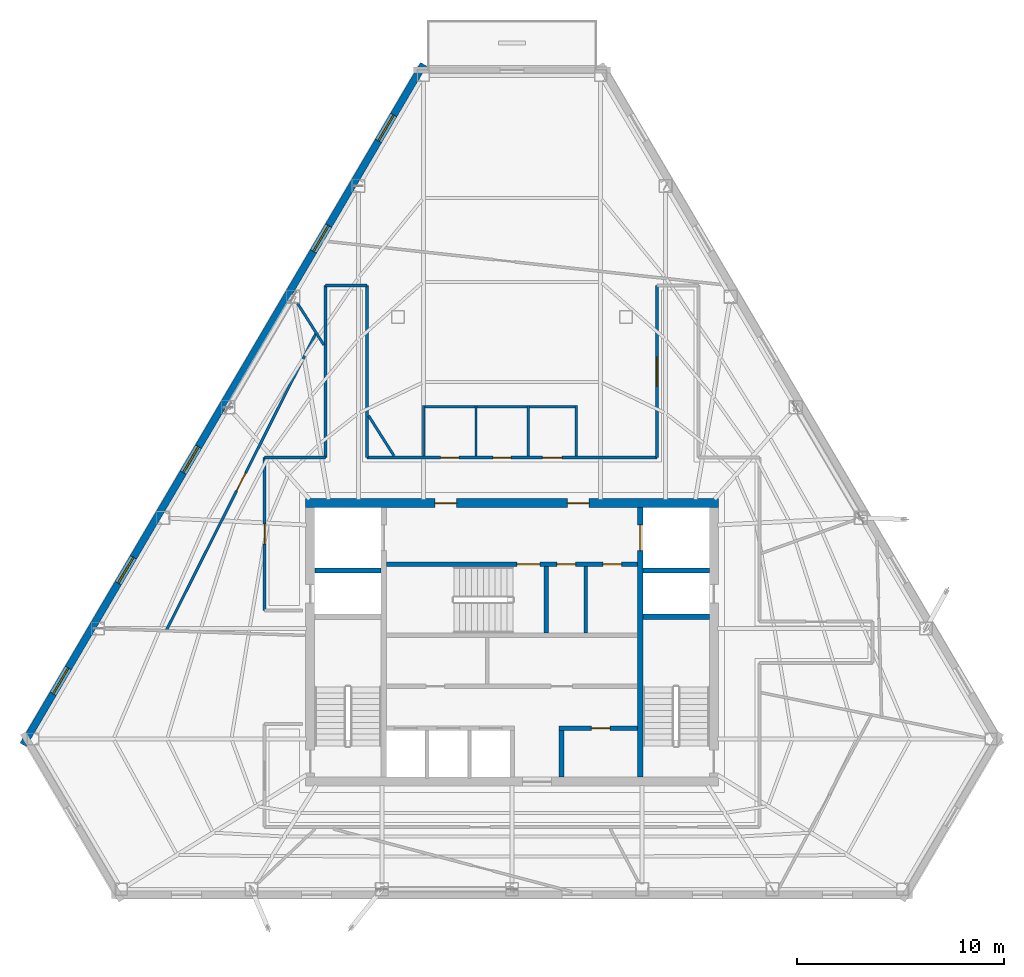
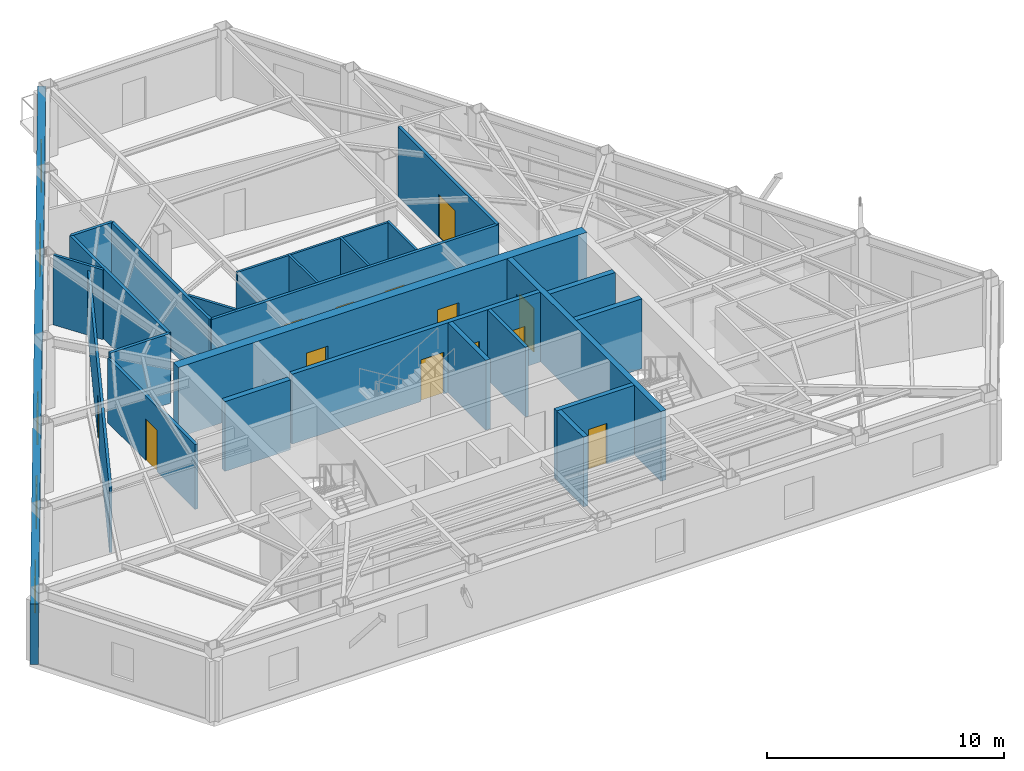
# One storey, part 8 of 12: 26 walls, 13 doors, 5 windows, 18 openings.
"""IFC4 building model written with IfcOpenShell, lengths in metres."""

from ifc_helpers import new_model, si_unit, direction, frame, frame_2d, origin, place, context, subcontext, project, spatial, rectangle, extrude, material, layer, layer_set, type_object, element, fill, save


model = new_model("IFC4")

# Units and contexts
model_context = context("Model", 3, precision=1e-05, world=origin(), true_north=direction((0.0, 1.0)))
body_context = subcontext(model_context, "Body", "Model", "MODEL_VIEW")
ifc_project = project(units=[si_unit("LENGTHUNIT", "METRE"), si_unit("AREAUNIT", "SQUARE_METRE"), si_unit("VOLUMEUNIT", "CUBIC_METRE"), si_unit("PLANEANGLEUNIT", "RADIAN"), si_unit("MASSUNIT", "GRAM", prefix="KILO")], contexts=[model_context])

# Site, building, storey
site_placement = place(None, origin())
site = spatial("IfcSite", under=ifc_project, at=site_placement, CompositionType="ELEMENT")
building_placement = place(site_placement, origin())
building = spatial("IfcBuilding", under=site, at=building_placement, Name="Kavelnor Concourse Tower", CompositionType="ELEMENT")
storey_placement = place(building_placement, frame((0.0, 0.0, 203.5)))
storey = spatial("IfcBuildingStorey", under=building, at=storey_placement, Name="L51", CompositionType="ELEMENT", Elevation=203.5)

# Wall, openings, doors
ifc_material_1 = material(Name="Concrete C50/60", Category="concrete")
ifc_layer_1 = layer(ifc_material_1, 0.43994140625, Name="Concrete C50/60")
ifc_layer_set_1 = layer_set([ifc_layer_1], Name="Concrete C50/60")
wall_type_1 = type_object("IfcWallType", Name="WL-CORE-Z3-440", PredefinedType="SOLIDWALL", material=ifc_layer_set_1)
wall_1_placement = place(storey_placement, frame((28.0400390625, 22.820068359375, 0.0), z_axis=(0.0, 0.0, 1.0), x_axis=(1.0, 0.0, 0.0)))
wall_1 = element("IfcWall", 1, at=wall_1_placement, inside=storey, type_object=wall_type_1, Name="L51 Central Core North Shear Wall", PredefinedType="SOLIDWALL", context=body_context, shape_type="SweptSolid", body=[
    extrude(rectangle(XDim=19.919921875, YDim=0.43994140625, at=frame_2d((9.9599609375, 0.0))), origin(), (0.0, 0.0, 1.0), 3.60009765625),
])
opening_1_placement = place(wall_1_placement, frame((6.235107421875, 0.0, 0.0)))
opening_1 = element("IfcOpeningElement", 2, at=opening_1_placement, cuts=wall_1, Name="Opening FD-105", PredefinedType="OPENING", context=body_context, shape_type="SweptSolid", body=[
    extrude(rectangle(XDim=1.050048828125, YDim=2.14990234375, at=frame_2d((0.52490234375, 1.074951171875))), frame((0.0, 0.22998046875, 0.0), z_axis=(0.0, -1.0, 0.0), x_axis=(1.0, 0.0, 0.0)), (0.0, 0.0, 1.0), 0.4599609375),
])
opening_2_placement = place(wall_1_placement, frame((12.635009765625, 0.0, 0.0)))
opening_2 = element("IfcOpeningElement", 3, at=opening_2_placement, cuts=wall_1, Name="Opening FD-105", PredefinedType="OPENING", context=body_context, shape_type="SweptSolid", body=[
    extrude(rectangle(XDim=1.050048828125, YDim=2.14990234375, at=frame_2d((0.52490234375, 1.074951171875))), frame((0.0, 0.22998046875, 0.0), z_axis=(0.0, -1.0, 0.0), x_axis=(1.0, 0.0, 0.0)), (0.0, 0.0, 1.0), 0.4599609375),
])
ifc_material_2 = material(Name="Steel Grade 350", Category="steel")
door_type_1 = type_object("IfcDoorType", Name="DR-LOBBY-FIRE-1050", OperationType="NOTDEFINED", PredefinedType="DOOR", material=ifc_material_2)
door_1_placement = place(opening_1_placement, origin())
door_1 = element("IfcDoor", 4, at=door_1_placement, inside=storey, type_object=door_type_1, Name="L51 Emergency Lift Lobby West Door", OperationType="SINGLE_SWING_LEFT", OverallHeight=2.14990234375, OverallWidth=1.050048828125, PredefinedType="DOOR", context=body_context, shape_type="SweptSolid", body=[
    extrude(rectangle(XDim=1.050048828125, YDim=2.14990234375, at=frame_2d((0.52490234375, 1.074951171875))), frame((0.0, 0.02490234375, 0.0), z_axis=(0.0, -1.0, 0.0), x_axis=(1.0, 0.0, 0.0)), (0.0, 0.0, 1.0), 0.050048828125),
])
fill(opening_1, door_1)
door_2_placement = place(opening_2_placement, origin())
door_2 = element("IfcDoor", 5, at=door_2_placement, inside=storey, type_object=door_type_1, Name="L51 Emergency Lift Lobby East Door", OperationType="SINGLE_SWING_RIGHT", OverallHeight=2.14990234375, OverallWidth=1.050048828125, PredefinedType="DOOR", context=body_context, shape_type="SweptSolid", body=[
    extrude(rectangle(XDim=1.050048828125, YDim=2.14990234375, at=frame_2d((0.52490234375, 1.074951171875))), frame((0.0, 0.02490234375, 0.0), z_axis=(0.0, -1.0, 0.0), x_axis=(1.0, 0.0, 0.0)), (0.0, 0.0, 1.0), 0.050048828125),
])
fill(opening_2, door_2)

# Wall, openings, windows
ifc_material_3 = material(Name="Red-ochre clay face brick masonry", Category="masonry")
ifc_layer_2 = layer(ifc_material_3, 0.35009765625, Name="Red-ochre clay face brick masonry")
ifc_layer_set_2 = layer_set([ifc_layer_2], Name="Red-ochre clay face brick masonry")
wall_type_2 = type_object("IfcWallType", Name="WL-EXT-RED-BRICK-PIER-350", PredefinedType="STANDARD", material=ifc_layer_set_2)
wall_2_placement = place(storey_placement, frame((14.4052734375, 11.156982421875, 0.0), z_axis=(0.0, 0.0, 1.0), x_axis=(0.507147779291, 0.861859112593, 0.0)))
wall_2 = element("IfcWall", 6, at=wall_2_placement, inside=storey, type_object=wall_type_2, Name="L51 Exterior Brick Facade Wall E1", PredefinedType="STANDARD", context=body_context, shape_type="SweptSolid", body=[
    extrude(rectangle(XDim=38.111328125, YDim=0.35009765625, at=frame_2d((19.0556640625, 0.0))), origin(), (0.0, 0.0, 1.0), 3.132080078125),
])
opening_3_placement = place(wall_2_placement, frame((33.81591796875, 0.0, 0.64990234375)))
opening_3 = element("IfcOpeningElement", 7, at=opening_3_placement, cuts=wall_2, Name="Opening W-03", PredefinedType="OPENING", context=body_context, shape_type="SweptSolid", body=[
    extrude(rectangle(XDim=1.449951171875, YDim=1.75, at=frame_2d((0.72509765625, 0.875))), frame((0.0, 0.18505859375, 0.0), z_axis=(0.0, -1.0, 0.0), x_axis=(1.0, 0.0, 0.0)), (0.0, 0.0, 1.0), 0.3701171875),
])
opening_4_placement = place(wall_2_placement, frame((27.623291015625, 0.0, 0.64990234375)))
opening_4 = element("IfcOpeningElement", 8, at=opening_4_placement, cuts=wall_2, Name="Opening W-03", PredefinedType="OPENING", context=body_context, shape_type="SweptSolid", body=[
    extrude(rectangle(XDim=1.449951171875, YDim=1.75, at=frame_2d((0.72509765625, 0.875))), frame((0.0, 0.18505859375, 0.0), z_axis=(0.0, -1.0, 0.0), x_axis=(1.0, 0.0, 0.0)), (0.0, 0.0, 1.0), 0.3701171875),
])
opening_5_placement = place(wall_2_placement, frame((15.238525390625, 0.0, 0.64990234375)))
opening_5 = element("IfcOpeningElement", 9, at=opening_5_placement, cuts=wall_2, Name="Opening W-03", PredefinedType="OPENING", context=body_context, shape_type="SweptSolid", body=[
    extrude(rectangle(XDim=1.449951171875, YDim=1.75, at=frame_2d((0.72509765625, 0.875))), frame((0.0, 0.18505859375, 0.0), z_axis=(0.0, -1.0, 0.0), x_axis=(1.0, 0.0, 0.0)), (0.0, 0.0, 1.0), 0.3701171875),
])
opening_6_placement = place(wall_2_placement, frame((9.046142578125, 0.0, 0.64990234375)))
opening_6 = element("IfcOpeningElement", 10, at=opening_6_placement, cuts=wall_2, Name="Opening W-03", PredefinedType="OPENING", context=body_context, shape_type="SweptSolid", body=[
    extrude(rectangle(XDim=1.449951171875, YDim=1.75, at=frame_2d((0.72509765625, 0.875))), frame((0.0, 0.18505859375, 0.0), z_axis=(0.0, -1.0, 0.0), x_axis=(1.0, 0.0, 0.0)), (0.0, 0.0, 1.0), 0.3701171875),
])
opening_7_placement = place(wall_2_placement, frame((2.853759765625, 0.0, 0.64990234375)))
opening_7 = element("IfcOpeningElement", 11, at=opening_7_placement, cuts=wall_2, Name="Opening W-03", PredefinedType="OPENING", context=body_context, shape_type="SweptSolid", body=[
    extrude(rectangle(XDim=1.449951171875, YDim=1.75, at=frame_2d((0.72509765625, 0.875))), frame((0.0, 0.18505859375, 0.0), z_axis=(0.0, -1.0, 0.0), x_axis=(1.0, 0.0, 0.0)), (0.0, 0.0, 1.0), 0.3701171875),
])
ifc_material_4 = material(Name="Double low-E argon insulated glazing", Category="glass")
window_type = type_object("IfcWindowType", Name="WIN-PIER-Z3-1500", PartitioningType="SINGLE_PANEL", PredefinedType="WINDOW", material=ifc_material_4)
window_1_placement = place(opening_3_placement, origin())
window_1 = element("IfcWindow", 12, at=window_1_placement, inside=storey, type_object=window_type, Name="L51 Deep-Set Brick Pier Window F0-B0", OverallHeight=1.75, OverallWidth=1.449951171875, PartitioningType="SINGLE_PANEL", PredefinedType="WINDOW", context=body_context, shape_type="SweptSolid", body=[
    extrude(rectangle(XDim=1.449951171875, YDim=1.75, at=frame_2d((0.72509765625, 0.875))), frame((0.0, 0.030029296875, 0.0), z_axis=(0.0, -1.0, 0.0), x_axis=(1.0, 0.0, 0.0)), (0.0, 0.0, 1.0), 0.06005859375),
])
fill(opening_3, window_1)
window_2_placement = place(opening_4_placement, origin())
window_2 = element("IfcWindow", 13, at=window_2_placement, inside=storey, type_object=window_type, Name="L51 Deep-Set Brick Pier Window F0-B1", OverallHeight=1.75, OverallWidth=1.449951171875, PartitioningType="SINGLE_PANEL", PredefinedType="WINDOW", context=body_context, shape_type="SweptSolid", body=[
    extrude(rectangle(XDim=1.449951171875, YDim=1.75, at=frame_2d((0.72509765625, 0.875))), frame((0.0, 0.030029296875, 0.0), z_axis=(0.0, -1.0, 0.0), x_axis=(1.0, 0.0, 0.0)), (0.0, 0.0, 1.0), 0.06005859375),
])
fill(opening_4, window_2)
window_3_placement = place(opening_5_placement, origin())
window_3 = element("IfcWindow", 14, at=window_3_placement, inside=storey, type_object=window_type, Name="L51 Deep-Set Brick Pier Window F0-B3", OverallHeight=1.75, OverallWidth=1.449951171875, PartitioningType="SINGLE_PANEL", PredefinedType="WINDOW", context=body_context, shape_type="SweptSolid", body=[
    extrude(rectangle(XDim=1.449951171875, YDim=1.75, at=frame_2d((0.72509765625, 0.875))), frame((0.0, 0.030029296875, 0.0), z_axis=(0.0, -1.0, 0.0), x_axis=(1.0, 0.0, 0.0)), (0.0, 0.0, 1.0), 0.06005859375),
])
fill(opening_5, window_3)
window_4_placement = place(opening_6_placement, origin())
window_4 = element("IfcWindow", 15, at=window_4_placement, inside=storey, type_object=window_type, Name="L51 Deep-Set Brick Pier Window F0-B4", OverallHeight=1.75, OverallWidth=1.449951171875, PartitioningType="SINGLE_PANEL", PredefinedType="WINDOW", context=body_context, shape_type="SweptSolid", body=[
    extrude(rectangle(XDim=1.449951171875, YDim=1.75, at=frame_2d((0.72509765625, 0.875))), frame((0.0, 0.030029296875, 0.0), z_axis=(0.0, -1.0, 0.0), x_axis=(1.0, 0.0, 0.0)), (0.0, 0.0, 1.0), 0.06005859375),
])
fill(opening_6, window_4)
window_5_placement = place(opening_7_placement, origin())
window_5 = element("IfcWindow", 16, at=window_5_placement, inside=storey, type_object=window_type, Name="L51 Deep-Set Brick Pier Window F0-B5", OverallHeight=1.75, OverallWidth=1.449951171875, PartitioningType="SINGLE_PANEL", PredefinedType="WINDOW", context=body_context, shape_type="SweptSolid", body=[
    extrude(rectangle(XDim=1.449951171875, YDim=1.75, at=frame_2d((0.72509765625, 0.875))), frame((0.0, 0.030029296875, 0.0), z_axis=(0.0, -1.0, 0.0), x_axis=(1.0, 0.0, 0.0)), (0.0, 0.0, 1.0), 0.06005859375),
])
fill(opening_7, window_5)

# Wall, opening, door
ifc_material_5 = material(Name="Gypsum plasterboard on light-gauge steel studs", Category="steel")
ifc_layer_3 = layer(ifc_material_5, 0.14501953125, Name="Gypsum plasterboard on light-gauge steel studs")
ifc_layer_set_3 = layer_set([ifc_layer_3], Name="Gypsum plasterboard on light-gauge steel studs")
wall_type_3 = type_object("IfcWallType", Name="WL-INT-CORR-145", PredefinedType="PARTITIONING", material=ifc_layer_set_3)
wall_3_placement = place(storey_placement, frame((26.06005859375, 17.64990234375, 0.0), z_axis=(0.0, 0.0, 1.0), x_axis=(0.0, 1.0, 0.0)))
wall_3 = element("IfcWall", 17, at=wall_3_placement, inside=storey, type_object=wall_type_3, Name="L51 Corridor Wall WL-L51-CR-02", PredefinedType="PARTITIONING", context=body_context, shape_type="SweptSolid", body=[
    extrude(rectangle(XDim=7.3701171875, YDim=0.14501953125, at=frame_2d((3.68505859375, 0.0))), origin(), (0.0, 0.0, 1.0), 3.339111328125),
])
opening_8_placement = place(wall_3_placement, frame((3.195068359375, 0.0, 0.0)))
opening_8 = element("IfcOpeningElement", 18, at=opening_8_placement, cuts=wall_3, Name="Opening OD-098", PredefinedType="OPENING", context=body_context, shape_type="SweptSolid", body=[
    extrude(rectangle(XDim=0.97998046875, YDim=2.14990234375, at=frame_2d((0.489990234375, 1.074951171875))), frame((0.0, 0.08251953125, 0.0), z_axis=(0.0, -1.0, 0.0), x_axis=(1.0, 0.0, 0.0)), (0.0, 0.0, 1.0), 0.1650390625),
])
ifc_material_6 = material(Name="Solid-core hardwood timber", Category="wood")
door_type_2 = type_object("IfcDoorType", Name="DR-OFFICE-980", OperationType="NOTDEFINED", PredefinedType="DOOR", material=ifc_material_6)
door_3_placement = place(opening_8_placement, origin())
door_3 = element("IfcDoor", 19, at=door_3_placement, inside=storey, type_object=door_type_2, Name="L51 Client Concierge 05 Door", OperationType="SINGLE_SWING_LEFT", OverallHeight=2.14990234375, OverallWidth=0.97998046875, PredefinedType="DOOR", context=body_context, shape_type="SweptSolid", body=[
    extrude(rectangle(XDim=0.97998046875, YDim=2.14990234375, at=frame_2d((0.489990234375, 1.074951171875))), frame((0.0, 0.02490234375, 0.0), z_axis=(0.0, -1.0, 0.0), x_axis=(1.0, 0.0, 0.0)), (0.0, 0.0, 1.0), 0.050048828125),
])
fill(opening_8, door_3)

# Walls
wall_4_placement = place(storey_placement, frame((26.06005859375, 25.02001953125, 0.0), z_axis=(0.0, 0.0, 1.0), x_axis=(1.0, 0.0, 0.0)))
element("IfcWall", 20, at=wall_4_placement, inside=storey, type_object=wall_type_3, Name="L51 Corridor Wall WL-L51-CR-03", PredefinedType="PARTITIONING", context=body_context, shape_type="SweptSolid", body=[
    extrude(rectangle(XDim=2.93994140625, YDim=0.14501953125, at=frame_2d((1.469970703125, 0.0))), origin(), (0.0, 0.0, 1.0), 3.60009765625),
])
wall_5_placement = place(storey_placement, frame((29.0, 25.02001953125, 0.0), z_axis=(0.0, 0.0, 1.0), x_axis=(0.0, 1.0, 0.0)))
element("IfcWall", 21, at=wall_5_placement, inside=storey, type_object=wall_type_3, Name="L51 Corridor Wall WL-L51-CR-04", PredefinedType="PARTITIONING", context=body_context, shape_type="SweptSolid", body=[
    extrude(rectangle(XDim=8.304443359375, YDim=0.14501953125, at=frame_2d((4.15234375, 0.0))), origin(), (0.0, 0.0, 1.0), 3.60009765625),
])
wall_6_placement = place(storey_placement, frame((29.0, 33.324462890625, 0.0), z_axis=(0.0, 0.0, 1.0), x_axis=(1.0, 0.0, 0.0)))
element("IfcWall", 22, at=wall_6_placement, inside=storey, type_object=wall_type_3, Name="L51 Corridor Wall WL-L51-CR-05", PredefinedType="PARTITIONING", context=body_context, shape_type="SweptSolid", body=[
    extrude(rectangle(XDim=2.0, YDim=0.14501953125, at=frame_2d((1.0, 0.0))), origin(), (0.0, 0.0, 1.0), 3.60009765625),
])
wall_7_placement = place(storey_placement, frame((31.0, 33.324462890625, 0.0), z_axis=(0.0, 0.0, 1.0), x_axis=(0.0, -1.0, 0.0)))
element("IfcWall", 23, at=wall_7_placement, inside=storey, type_object=wall_type_3, Name="L51 Corridor Wall WL-L51-CR-06", PredefinedType="PARTITIONING", context=body_context, shape_type="SweptSolid", body=[
    extrude(rectangle(XDim=8.304443359375, YDim=0.14501953125, at=frame_2d((4.15234375, 0.0))), origin(), (0.0, 0.0, 1.0), 3.60009765625),
])

# Wall, openings, doors
wall_8_placement = place(storey_placement, frame((31.0, 25.02001953125, 0.0), z_axis=(0.0, 0.0, 1.0), x_axis=(1.0, 0.0, 0.0)))
wall_8 = element("IfcWall", 24, at=wall_8_placement, inside=storey, type_object=wall_type_3, Name="L51 Corridor Wall WL-L51-CR-07", PredefinedType="PARTITIONING", context=body_context, shape_type="SweptSolid", body=[
    extrude(rectangle(XDim=14.0, YDim=0.14501953125, at=frame_2d((7.0, 0.0))), origin(), (0.0, 0.0, 1.0), 3.60009765625),
])
opening_9_placement = place(wall_8_placement, frame((3.56005859375, 0.0, 0.0)))
opening_9 = element("IfcOpeningElement", 25, at=opening_9_placement, cuts=wall_8, Name="Opening WD-088", PredefinedType="OPENING", context=body_context, shape_type="SweptSolid", body=[
    extrude(rectangle(XDim=0.8798828125, YDim=2.10009765625, at=frame_2d((0.43994140625, 1.050048828125))), frame((0.0, 0.08251953125, 0.0), z_axis=(0.0, -1.0, 0.0), x_axis=(1.0, 0.0, 0.0)), (0.0, 0.0, 1.0), 0.1650390625),
])
opening_10_placement = place(wall_8_placement, frame((6.080078125, 0.0, 0.0)))
opening_10 = element("IfcOpeningElement", 26, at=opening_10_placement, cuts=wall_8, Name="Opening WD-088", PredefinedType="OPENING", context=body_context, shape_type="SweptSolid", body=[
    extrude(rectangle(XDim=0.8798828125, YDim=2.10009765625, at=frame_2d((0.43994140625, 1.050048828125))), frame((0.0, 0.08251953125, 0.0), z_axis=(0.0, -1.0, 0.0), x_axis=(1.0, 0.0, 0.0)), (0.0, 0.0, 1.0), 0.1650390625),
])
opening_11_placement = place(wall_8_placement, frame((8.4599609375, 0.0, 0.0)))
opening_11 = element("IfcOpeningElement", 27, at=opening_11_placement, cuts=wall_8, Name="Opening WD-096", PredefinedType="OPENING", context=body_context, shape_type="SweptSolid", body=[
    extrude(rectangle(XDim=0.9599609375, YDim=2.10009765625, at=frame_2d((0.47998046875, 1.050048828125))), frame((0.0, 0.08251953125, 0.0), z_axis=(0.0, -1.0, 0.0), x_axis=(1.0, 0.0, 0.0)), (0.0, 0.0, 1.0), 0.1650390625),
])
door_type_3 = type_object("IfcDoorType", Name="DR-WC-ACC-960", OperationType="NOTDEFINED", PredefinedType="DOOR", material=ifc_material_6)
door_4_placement = place(opening_11_placement, origin())
door_4 = element("IfcDoor", 28, at=door_4_placement, inside=storey, type_object=door_type_3, Name="L51 Accessible WC Door", OperationType="SINGLE_SWING_RIGHT", OverallHeight=2.10009765625, OverallWidth=0.9599609375, PredefinedType="DOOR", context=body_context, shape_type="SweptSolid", body=[
    extrude(rectangle(XDim=0.9599609375, YDim=2.10009765625, at=frame_2d((0.47998046875, 1.050048828125))), frame((0.0, 0.02490234375, 0.0), z_axis=(0.0, -1.0, 0.0), x_axis=(1.0, 0.0, 0.0)), (0.0, 0.0, 1.0), 0.050048828125),
])
fill(opening_11, door_4)
door_type_4 = type_object("IfcDoorType", Name="DR-WC-STD-880", OperationType="NOTDEFINED", PredefinedType="DOOR", material=ifc_material_6)
door_5_placement = place(opening_9_placement, origin())
door_5 = element("IfcDoor", 29, at=door_5_placement, inside=storey, type_object=door_type_4, Name="L51 Male WC Door", OperationType="SINGLE_SWING_RIGHT", OverallHeight=2.10009765625, OverallWidth=0.8798828125, PredefinedType="DOOR", context=body_context, shape_type="SweptSolid", body=[
    extrude(rectangle(XDim=0.8798828125, YDim=2.10009765625, at=frame_2d((0.43994140625, 1.050048828125))), frame((0.0, 0.02490234375, 0.0), z_axis=(0.0, -1.0, 0.0), x_axis=(1.0, 0.0, 0.0)), (0.0, 0.0, 1.0), 0.050048828125),
])
fill(opening_9, door_5)
door_6_placement = place(opening_10_placement, origin())
door_6 = element("IfcDoor", 30, at=door_6_placement, inside=storey, type_object=door_type_4, Name="L51 Female WC Door", OperationType="SINGLE_SWING_LEFT", OverallHeight=2.10009765625, OverallWidth=0.8798828125, PredefinedType="DOOR", context=body_context, shape_type="SweptSolid", body=[
    extrude(rectangle(XDim=0.8798828125, YDim=2.10009765625, at=frame_2d((0.43994140625, 1.050048828125))), frame((0.0, 0.02490234375, 0.0), z_axis=(0.0, -1.0, 0.0), x_axis=(1.0, 0.0, 0.0)), (0.0, 0.0, 1.0), 0.050048828125),
])
fill(opening_10, door_6)

# Wall, opening, door
wall_9_placement = place(storey_placement, frame((45.0, 25.02001953125, 0.0), z_axis=(0.0, 0.0, 1.0), x_axis=(0.0, 1.0, 0.0)))
wall_9 = element("IfcWall", 31, at=wall_9_placement, inside=storey, type_object=wall_type_3, Name="L51 Corridor Wall WL-L51-CR-08", PredefinedType="PARTITIONING", context=body_context, shape_type="SweptSolid", body=[
    extrude(rectangle(XDim=8.304443359375, YDim=0.14501953125, at=frame_2d((4.15234375, 0.0))), origin(), (0.0, 0.0, 1.0), 3.60009765625),
])
opening_12_placement = place(wall_9_placement, frame((3.4521484375, 0.0, 0.0)))
opening_12 = element("IfcOpeningElement", 32, at=opening_12_placement, cuts=wall_9, Name="Opening SD-140", PredefinedType="OPENING", context=body_context, shape_type="SweptSolid", body=[
    extrude(rectangle(XDim=1.39990234375, YDim=2.199951171875, at=frame_2d((0.699951171875, 1.10009765625))), frame((0.0, 0.08251953125, 0.0), z_axis=(0.0, -1.0, 0.0), x_axis=(1.0, 0.0, 0.0)), (0.0, 0.0, 1.0), 0.1650390625),
])
door_type_5 = type_object("IfcDoorType", Name="DR-SUITE-ENTRY-1400", OperationType="NOTDEFINED", PredefinedType="DOOR", material=ifc_material_6)
door_7_placement = place(opening_12_placement, origin())
door_7 = element("IfcDoor", 33, at=door_7_placement, inside=storey, type_object=door_type_5, Name="L51 Building Staff Breakroom 03 Door", OperationType="SINGLE_SWING_LEFT", OverallHeight=2.199951171875, OverallWidth=1.39990234375, PredefinedType="DOOR", context=body_context, shape_type="SweptSolid", body=[
    extrude(rectangle(XDim=1.39990234375, YDim=2.199951171875, at=frame_2d((0.699951171875, 1.10009765625))), frame((0.0, 0.02490234375, 0.0), z_axis=(0.0, -1.0, 0.0), x_axis=(1.0, 0.0, 0.0)), (0.0, 0.0, 1.0), 0.050048828125),
])
fill(opening_12, door_7)

# Walls
ifc_layer_4 = layer(ifc_material_5, 0.1650390625, Name="Gypsum plasterboard on light-gauge steel studs")
ifc_layer_set_4 = layer_set([ifc_layer_4], Name="Gypsum plasterboard on light-gauge steel studs")
wall_type_4 = type_object("IfcWallType", Name="WL-INT-FIRE-165", PredefinedType="PARTITIONING", material=ifc_layer_set_4)
wall_10_placement = place(storey_placement, frame((41.550048828125, 16.56005859375, 0.0), z_axis=(0.0, 0.0, 1.0), x_axis=(0.0, 1.0, 0.0)))
element("IfcWall", 34, at=wall_10_placement, inside=storey, type_object=wall_type_4, Name="L51 Core North Support Divider", PredefinedType="PARTITIONING", context=body_context, shape_type="SweptSolid", body=[
    extrude(rectangle(XDim=3.199951171875, YDim=0.1650390625, at=frame_2d((1.60009765625, 0.0))), origin(), (0.0, 0.0, 1.0), 3.60009765625),
])
ifc_layer_5 = layer(ifc_material_5, 0.125, Name="Gypsum plasterboard on light-gauge steel studs")
ifc_layer_set_5 = layer_set([ifc_layer_5], Name="Gypsum plasterboard on light-gauge steel studs")
wall_type_5 = type_object("IfcWallType", Name="WL-INT-SUITE-125", PredefinedType="PARTITIONING", material=ifc_layer_set_5)
wall_11_placement = place(storey_placement, frame((32.3056640625, 25.1005859375, 0.0), z_axis=(0.0, 0.0, 1.0), x_axis=(-0.534674324124, 0.845058203393, 0.0)))
element("IfcWall", 35, at=wall_11_placement, inside=storey, type_object=wall_type_5, Name="L51 Radial Suite Partition 02", PredefinedType="PARTITIONING", context=body_context, shape_type="SweptSolid", body=[
    extrude(rectangle(XDim=2.291259765625, YDim=0.125, at=frame_2d((1.1455078125, 0.0))), origin(), (0.0, 0.0, 1.0), 3.60009765625),
])
wall_12_placement = place(storey_placement, frame((28.91943359375, 30.452392578125, 0.0), z_axis=(0.0, 0.0, 1.0), x_axis=(-0.53460118531, 0.845104474408, 0.0)))
element("IfcWall", 36, at=wall_12_placement, inside=storey, type_object=wall_type_5, Name="L51 Radial Suite Partition 02", PredefinedType="PARTITIONING", context=body_context, shape_type="SweptSolid", body=[
    extrude(rectangle(XDim=2.37060546875, YDim=0.125, at=frame_2d((1.185302734375, 0.0))), origin(), (0.0, 0.0, 1.0), 3.60009765625),
])

# Wall, opening, door
wall_13_placement = place(storey_placement, frame((28.54052734375, 31.0234375, 0.0), z_axis=(0.0, 0.0, 1.0), x_axis=(-0.449722790535, -0.893168187786, 0.0)))
wall_13 = element("IfcWall", 37, at=wall_13_placement, inside=storey, type_object=wall_type_5, Name="L51 Suite Subdivision Partition 03", PredefinedType="PARTITIONING", context=body_context, shape_type="SweptSolid", body=[
    extrude(rectangle(XDim=16.0625, YDim=0.125, at=frame_2d((8.03125, 0.0))), origin(), (0.0, 0.0, 1.0), 3.339111328125),
])
opening_13_placement = place(wall_13_placement, frame((7.5478515625, 0.0, 0.0)))
opening_13 = element("IfcOpeningElement", 38, at=opening_13_placement, cuts=wall_13, Name="Opening OD-098", PredefinedType="OPENING", context=body_context, shape_type="SweptSolid", body=[
    extrude(rectangle(XDim=0.97998046875, YDim=2.14990234375, at=frame_2d((0.489990234375, 1.074951171875))), frame((0.0, 0.072509765625, 0.0), z_axis=(0.0, -1.0, 0.0), x_axis=(1.0, 0.0, 0.0)), (0.0, 0.0, 1.0), 0.14501953125),
])
door_8_placement = place(opening_13_placement, origin())
door_8 = element("IfcDoor", 39, at=door_8_placement, inside=storey, type_object=door_type_2, Name="L51 Client Concierge 06 Door", OperationType="SINGLE_SWING_RIGHT", OverallHeight=2.14990234375, OverallWidth=0.97998046875, PredefinedType="DOOR", context=body_context, shape_type="SweptSolid", body=[
    extrude(rectangle(XDim=0.97998046875, YDim=2.14990234375, at=frame_2d((0.489990234375, 1.074951171875))), frame((0.0, 0.02490234375, 0.0), z_axis=(0.0, -1.0, 0.0), x_axis=(1.0, 0.0, 0.0)), (0.0, 0.0, 1.0), 0.050048828125),
])
fill(opening_13, door_8)

# Walls
ifc_layer_6 = layer(ifc_material_5, 0.110107421875, Name="Gypsum plasterboard on light-gauge steel studs")
ifc_layer_set_6 = layer_set([ifc_layer_6], Name="Gypsum plasterboard on light-gauge steel studs")
wall_type_6 = type_object("IfcWallType", Name="WL-INT-WC-110", PredefinedType="PLUMBINGWALL", material=ifc_layer_set_6)
wall_14_placement = place(storey_placement, frame((33.739990234375, 25.090087890625, 0.0), z_axis=(0.0, 0.0, 1.0), x_axis=(0.0, 1.0, 0.0)))
element("IfcWall", 40, at=wall_14_placement, inside=storey, type_object=wall_type_6, Name="L51 Sanitary Partition WL-L51-WC-W", PredefinedType="PLUMBINGWALL", context=body_context, shape_type="SweptSolid", body=[
    extrude(rectangle(XDim=2.43994140625, YDim=0.110107421875, at=frame_2d((1.219970703125, 0.0))), origin(), (0.0, 0.0, 1.0), 3.14111328125),
])
for number, where, z_axis, x_axis, name in (
    (41, (36.260009765625, 25.090087890625, 0.0), (0.0, 0.0, 1.0), (0.0, 1.0, 0.0), "L51 Sanitary Partition WL-L51-WC-D1"),
    (42, (38.780029296875, 25.090087890625, 0.0), (0.0, 0.0, 1.0), (0.0, 1.0, 0.0), "L51 Sanitary Partition WL-L51-WC-D2"),
    (43, (41.10009765625, 25.090087890625, 0.0), (0.0, 0.0, 1.0), (0.0, 1.0, 0.0), "L51 Sanitary Partition WL-L51-WC-E"),
):
    element("IfcWall", number, at=place(storey_placement, frame(where, z_axis=z_axis, x_axis=x_axis)), inside=storey, type_object=wall_type_6, Name=name, PredefinedType="PLUMBINGWALL", context=body_context, shape_type="SweptSolid", body=[
        extrude(rectangle(XDim=2.43994140625, YDim=0.110107421875, at=frame_2d((1.219970703125, 0.0))), origin(), (0.0, 0.0, 1.0), 3.60009765625),
    ])
wall_15_placement = place(storey_placement, frame((33.68994140625, 27.469970703125, 0.0), z_axis=(0.0, 0.0, 1.0), x_axis=(1.0, 0.0, 0.0)))
element("IfcWall", 44, at=wall_15_placement, inside=storey, type_object=wall_type_6, Name="L51 Sanitary Partition WL-L51-WC-N", PredefinedType="PLUMBINGWALL", context=body_context, shape_type="SweptSolid", body=[
    extrude(rectangle(XDim=7.4599609375, YDim=0.110107421875, at=frame_2d((3.72998046875, 0.0))), origin(), (0.0, 0.0, 1.0), 3.60009765625),
])

# Wall, openings, doors
ifc_layer_7 = layer(ifc_material_1, 0.219970703125, Name="Concrete C50/60")
ifc_layer_set_7 = layer_set([ifc_layer_7], Name="Concrete C50/60")
wall_type_7 = type_object("IfcWallType", Name="WL-SHAFT-220", PredefinedType="SOLIDWALL", material=ifc_layer_set_7)
wall_16_placement = place(storey_placement, frame((31.93994140625, 19.8701171875, 0.0), z_axis=(0.0, 0.0, 1.0), x_axis=(1.0, 0.0, 0.0)))
wall_16 = element("IfcWall", 45, at=wall_16_placement, inside=storey, type_object=wall_type_7, Name="L51 Emergency Lift Lobby South Wall", PredefinedType="SOLIDWALL", context=body_context, shape_type="SweptSolid", body=[
    extrude(rectangle(XDim=12.1201171875, YDim=0.219970703125, at=frame_2d((6.06005859375, 0.0))), origin(), (0.0, 0.0, 1.0), 3.60009765625),
])
opening_14_placement = place(wall_16_placement, frame((6.300048828125, 0.0, 0.0)))
opening_14 = element("IfcOpeningElement", 46, at=opening_14_placement, cuts=wall_16, Name="Opening FD-110", PredefinedType="OPENING", context=body_context, shape_type="SweptSolid", body=[
    extrude(rectangle(XDim=1.10009765625, YDim=2.14990234375, at=frame_2d((0.550048828125, 1.074951171875))), frame((0.0, 0.1201171875, 0.0), z_axis=(0.0, -1.0, 0.0), x_axis=(1.0, 0.0, 0.0)), (0.0, 0.0, 1.0), 0.239990234375),
])
opening_15_placement = place(wall_16_placement, frame((8.22998046875, 0.0, 0.0)))
opening_15 = element("IfcOpeningElement", 47, at=opening_15_placement, cuts=wall_16, Name="Opening FD-090", PredefinedType="OPENING", context=body_context, shape_type="SweptSolid", body=[
    extrude(rectangle(XDim=0.89990234375, YDim=2.10009765625, at=frame_2d((0.449951171875, 1.050048828125))), frame((0.0, 0.1201171875, 0.0), z_axis=(0.0, -1.0, 0.0), x_axis=(1.0, 0.0, 0.0)), (0.0, 0.0, 1.0), 0.239990234375),
])
opening_16_placement = place(wall_16_placement, frame((10.449951171875, 0.0, 0.0)))
opening_16 = element("IfcOpeningElement", 48, at=opening_16_placement, cuts=wall_16, Name="Opening FD-090", PredefinedType="OPENING", context=body_context, shape_type="SweptSolid", body=[
    extrude(rectangle(XDim=0.89990234375, YDim=2.10009765625, at=frame_2d((0.449951171875, 1.050048828125))), frame((0.0, 0.1201171875, 0.0), z_axis=(0.0, -1.0, 0.0), x_axis=(1.0, 0.0, 0.0)), (0.0, 0.0, 1.0), 0.239990234375),
])
door_type_6 = type_object("IfcDoorType", Name="DR-RISER-FIRE-900", OperationType="NOTDEFINED", PredefinedType="DOOR", material=ifc_material_2)
door_9_placement = place(opening_15_placement, origin())
door_9 = element("IfcDoor", 49, at=door_9_placement, inside=storey, type_object=door_type_6, Name="L51 Telecom Room Door", OperationType="SINGLE_SWING_LEFT", OverallHeight=2.10009765625, OverallWidth=0.89990234375, PredefinedType="DOOR", context=body_context, shape_type="SweptSolid", body=[
    extrude(rectangle(XDim=0.89990234375, YDim=2.10009765625, at=frame_2d((0.449951171875, 1.050048828125))), frame((0.0, 0.02490234375, 0.0), z_axis=(0.0, -1.0, 0.0), x_axis=(1.0, 0.0, 0.0)), (0.0, 0.0, 1.0), 0.050048828125),
])
fill(opening_15, door_9)
door_10_placement = place(opening_16_placement, origin())
door_10 = element("IfcDoor", 50, at=door_10_placement, inside=storey, type_object=door_type_6, Name="L51 Janitor Store Door", OperationType="SINGLE_SWING_RIGHT", OverallHeight=2.10009765625, OverallWidth=0.89990234375, PredefinedType="DOOR", context=body_context, shape_type="SweptSolid", body=[
    extrude(rectangle(XDim=0.89990234375, YDim=2.10009765625, at=frame_2d((0.449951171875, 1.050048828125))), frame((0.0, 0.02490234375, 0.0), z_axis=(0.0, -1.0, 0.0), x_axis=(1.0, 0.0, 0.0)), (0.0, 0.0, 1.0), 0.050048828125),
])
fill(opening_16, door_10)
door_type_7 = type_object("IfcDoorType", Name="DR-STAIR-FIRE-1100", OperationType="NOTDEFINED", PredefinedType="DOOR", material=ifc_material_2)
door_11_placement = place(opening_14_placement, origin())
door_11 = element("IfcDoor", 51, at=door_11_placement, inside=storey, type_object=door_type_7, Name="L51 Stair ST3 Fire Door", OperationType="SINGLE_SWING_LEFT", OverallHeight=2.14990234375, OverallWidth=1.10009765625, PredefinedType="DOOR", context=body_context, shape_type="SweptSolid", body=[
    extrude(rectangle(XDim=1.10009765625, YDim=2.14990234375, at=frame_2d((0.550048828125, 1.074951171875))), frame((0.0, 0.02490234375, 0.0), z_axis=(0.0, -1.0, 0.0), x_axis=(1.0, 0.0, 0.0)), (0.0, 0.0, 1.0), 0.050048828125),
])
fill(opening_14, door_11)

# Wall
wall_17_placement = place(storey_placement, frame((39.64990234375, 16.56005859375, 0.0), z_axis=(0.0, 0.0, 1.0), x_axis=(0.0, 1.0, 0.0)))
element("IfcWall", 52, at=wall_17_placement, inside=storey, type_object=wall_type_7, Name="L51 Stair ST3 East Core Wall", PredefinedType="SOLIDWALL", context=body_context, shape_type="SweptSolid", body=[
    extrude(rectangle(XDim=3.199951171875, YDim=0.219970703125, at=frame_2d((1.60009765625, 0.0))), origin(), (0.0, 0.0, 1.0), 3.60009765625),
])

# Wall, opening, door
wall_18_placement = place(storey_placement, frame((40.280029296875, 11.949951171875, 0.0), z_axis=(0.0, 0.0, 1.0), x_axis=(1.0, 0.0, 0.0)))
wall_18 = element("IfcWall", 53, at=wall_18_placement, inside=storey, type_object=wall_type_7, Name="L51 Core South Support North Wall", PredefinedType="SOLIDWALL", context=body_context, shape_type="SweptSolid", body=[
    extrude(rectangle(XDim=3.780029296875, YDim=0.219970703125, at=frame_2d((1.89013671875, 0.0))), origin(), (0.0, 0.0, 1.0), 3.60009765625),
])
opening_17_placement = place(wall_18_placement, frame((1.550048828125, 0.0, 0.0)))
opening_17 = element("IfcOpeningElement", 54, at=opening_17_placement, cuts=wall_18, Name="Opening FD-090", PredefinedType="OPENING", context=body_context, shape_type="SweptSolid", body=[
    extrude(rectangle(XDim=0.89990234375, YDim=2.10009765625, at=frame_2d((0.449951171875, 1.050048828125))), frame((0.0, 0.1201171875, 0.0), z_axis=(0.0, -1.0, 0.0), x_axis=(1.0, 0.0, 0.0)), (0.0, 0.0, 1.0), 0.239990234375),
])
door_12_placement = place(opening_17_placement, origin())
door_12 = element("IfcDoor", 55, at=door_12_placement, inside=storey, type_object=door_type_6, Name="L51 BMS Metering Door", OperationType="SINGLE_SWING_RIGHT", OverallHeight=2.10009765625, OverallWidth=0.89990234375, PredefinedType="DOOR", context=body_context, shape_type="SweptSolid", body=[
    extrude(rectangle(XDim=0.89990234375, YDim=2.10009765625, at=frame_2d((0.449951171875, 1.050048828125))), frame((0.0, 0.02490234375, 0.0), z_axis=(0.0, -1.0, 0.0), x_axis=(1.0, 0.0, 0.0)), (0.0, 0.0, 1.0), 0.050048828125),
])
fill(opening_17, door_12)

# Wall
wall_19_placement = place(storey_placement, frame((40.389892578125, 9.60009765625, 0.0), z_axis=(0.0, 0.0, 1.0), x_axis=(0.0, 1.0, 0.0)))
element("IfcWall", 56, at=wall_19_placement, inside=storey, type_object=wall_type_7, Name="L51 Lift Lobby Throat East Wall", PredefinedType="SOLIDWALL", context=body_context, shape_type="SweptSolid", body=[
    extrude(rectangle(XDim=2.239990234375, YDim=0.219970703125, at=frame_2d((1.1201171875, 0.0))), origin(), (0.0, 0.0, 1.0), 3.60009765625),
])

# Wall, opening, door
ifc_layer_8 = layer(ifc_material_1, 0.260009765625, Name="Concrete C50/60")
ifc_layer_set_8 = layer_set([ifc_layer_8], Name="Concrete C50/60")
wall_type_8 = type_object("IfcWallType", Name="WL-SHAFT-260", PredefinedType="SHEAR", material=ifc_layer_set_8)
wall_20_placement = place(storey_placement, frame((44.18994140625, 9.60009765625, 0.0), z_axis=(0.0, 0.0, 1.0), x_axis=(0.0, 1.0, 0.0)))
wall_20 = element("IfcWall", 57, at=wall_20_placement, inside=storey, type_object=wall_type_8, Name="L51 Core East Wing Shear Wall", PredefinedType="SHEAR", context=body_context, shape_type="SweptSolid", body=[
    extrude(rectangle(XDim=13.0, YDim=0.260009765625, at=frame_2d((6.5, 0.0))), origin(), (0.0, 0.0, 1.0), 3.60009765625),
])
opening_18_placement = place(wall_20_placement, frame((10.925048828125, 0.0, 0.0)))
opening_18 = element("IfcOpeningElement", 58, at=opening_18_placement, cuts=wall_20, Name="Opening LD-125", PredefinedType="OPENING", context=body_context, shape_type="SweptSolid", body=[
    extrude(rectangle(XDim=1.25, YDim=2.25, at=frame_2d((0.625, 1.125))), frame((0.0, 0.14013671875, 0.0), z_axis=(0.0, -1.0, 0.0), x_axis=(1.0, 0.0, 0.0)), (0.0, 0.0, 1.0), 0.280029296875),
])
door_type_8 = type_object("IfcDoorType", Name="DR-LIFT-SLIDING-1250", OperationType="NOTDEFINED", PredefinedType="DOOR", material=ifc_material_2)
door_13_placement = place(opening_18_placement, origin())
door_13 = element("IfcDoor", 59, at=door_13_placement, inside=storey, type_object=door_type_8, Name="L51 Emergency Lift FL2 Landing Door", OperationType="DOUBLE_DOOR_SLIDING", OverallHeight=2.25, OverallWidth=1.25, PredefinedType="DOOR", context=body_context, shape_type="SweptSolid", body=[
    extrude(rectangle(XDim=1.25, YDim=2.25, at=frame_2d((0.625, 1.125))), frame((0.0, 0.02490234375, 0.0), z_axis=(0.0, -1.0, 0.0), x_axis=(1.0, 0.0, 0.0)), (0.0, 0.0, 1.0), 0.050048828125),
])
fill(opening_18, door_13)

# Walls
for number, where, z_axis, x_axis, name in (
    (60, (28.47998046875, 19.570068359375, 0.0), (0.0, 0.0, 1.0), (1.0, 0.0, 0.0), "L51 Emergency Lift FL1 South Shaft Wall"),
    (61, (44.320068359375, 17.330078125, 0.0), (0.0, 0.0, 1.0), (1.0, 0.0, 0.0), "L51 Stair ST2 North Shaft Wall"),
    (62, (44.320068359375, 19.570068359375, 0.0), (0.0, 0.0, 1.0), (1.0, 0.0, 0.0), "L51 Emergency Lift FL2 South Shaft Wall"),
):
    element("IfcWall", number, at=place(storey_placement, frame(where, z_axis=z_axis, x_axis=x_axis)), inside=storey, type_object=wall_type_8, Name=name, PredefinedType="SHEAR", context=body_context, shape_type="SweptSolid", body=[
        extrude(rectangle(XDim=3.199951171875, YDim=0.260009765625, at=frame_2d((1.60009765625, 0.0))), origin(), (0.0, 0.0, 1.0), 3.60009765625),
    ])

save(model, "model.ifc")
